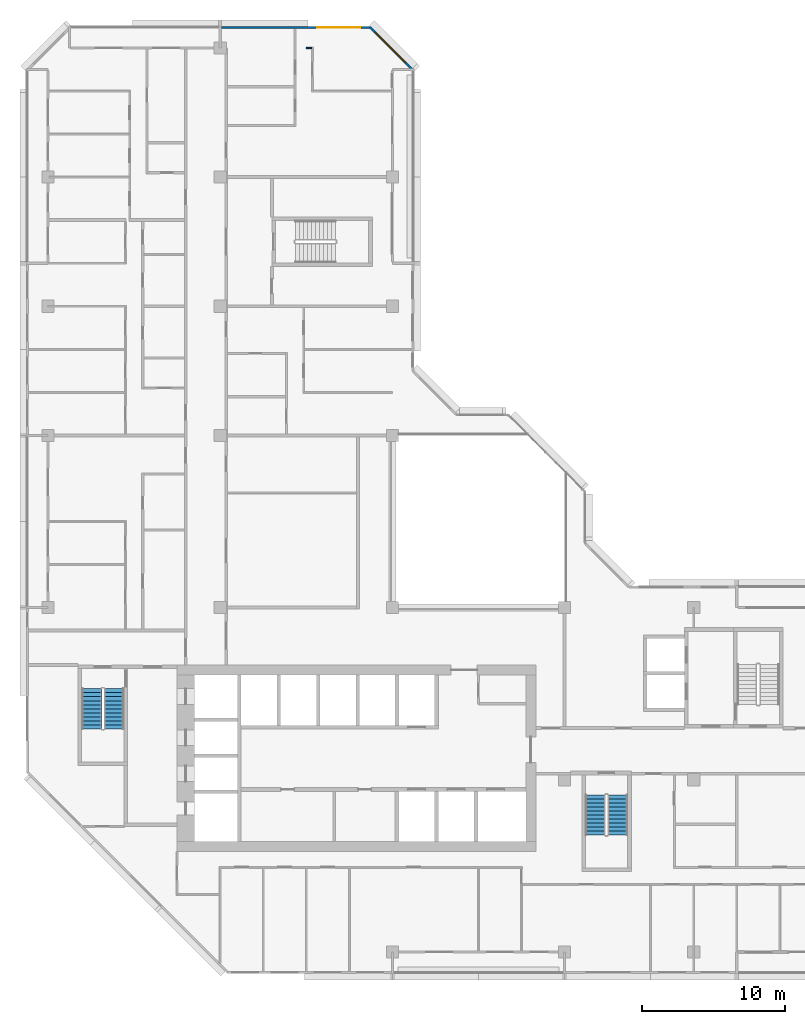
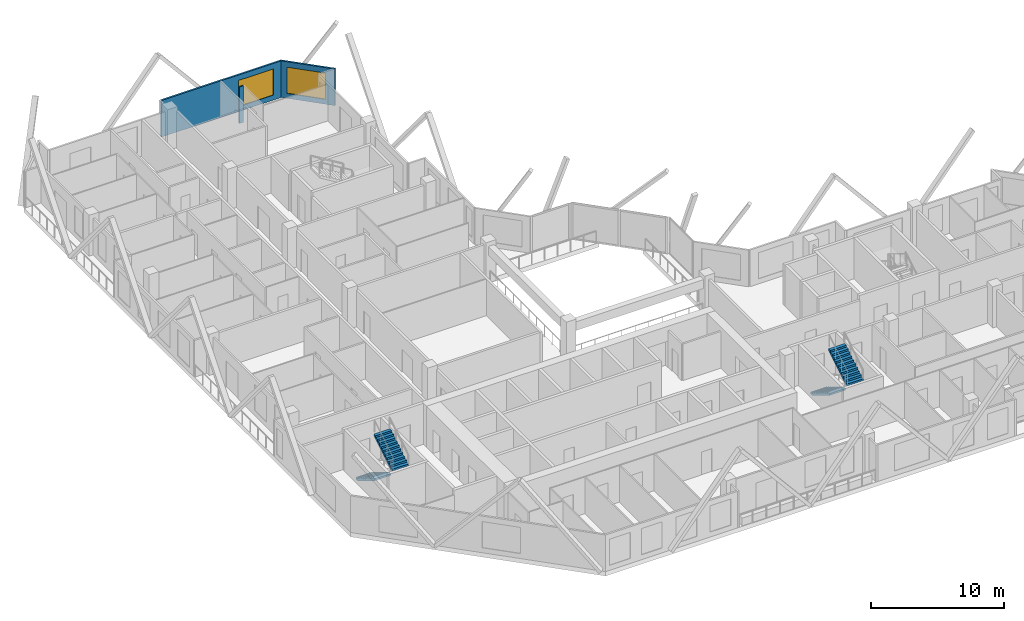
# One storey, part 13 of 16: 4 stair flights, 3 walls, 2 windows, 2 openings, 2 elements without a shape of their own.
"""IFC4 building model written with IfcOpenShell, lengths in metres."""

from ifc_helpers import new_model, si_unit, direction, frame, frame_2d, origin, place, context, subcontext, project, spatial, polyline, rectangle, outline, extrude, material, layer, layer_set, type_object, element, fill, aggregate, save


model = new_model("IFC4")

# Units and contexts
model_context = context("Model", 3, precision=1e-05, world=origin(), true_north=direction((0.0, 1.0)))
body_context = subcontext(model_context, "Body", "Model", "MODEL_VIEW")
ifc_project = project(units=[si_unit("LENGTHUNIT", "METRE"), si_unit("AREAUNIT", "SQUARE_METRE"), si_unit("VOLUMEUNIT", "CUBIC_METRE"), si_unit("PLANEANGLEUNIT", "RADIAN"), si_unit("MASSUNIT", "GRAM", prefix="KILO")], contexts=[model_context])

# Site, building, storey
site_placement = place(None, origin())
site = spatial("IfcSite", under=ifc_project, at=site_placement, CompositionType="ELEMENT")
building_placement = place(site_placement, origin())
building = spatial("IfcBuilding", under=site, at=building_placement, Name="Chenar Terraces", CompositionType="ELEMENT")
storey_placement = place(building_placement, frame((0.0, 0.0, 219.14990234375)))
storey = spatial("IfcBuildingStorey", under=building, at=storey_placement, Name="L51", CompositionType="ELEMENT", Elevation=219.14990234375)

# Wall, opening, window
ifc_material_1 = material(Name="Aluminium framed glazing", Category="aluminium")
ifc_layer_1 = layer(ifc_material_1, 0.14990234375)
ifc_layer_set_1 = layer_set([ifc_layer_1], Name="Aluminium framed glazing")
wall_type_1 = type_object("IfcWallType", Name="Glazed flush facade wall 150", PredefinedType="SOLIDWALL", material=ifc_layer_set_1)
wall_1_placement = place(storey_placement, frame((22.5, 64.425048828125, 0.0), z_axis=(0.0, 0.0, 1.0), x_axis=(-1.0, 0.0, 0.0)))
wall_1 = element("IfcWall", 1, at=wall_1_placement, inside=storey, type_object=wall_type_1, Name="Glazed flush facade wall", PredefinedType="SOLIDWALL", context=body_context, shape_type="SweptSolid", body=[
    extrude(rectangle(XDim=10.425048828125, YDim=0.14990234375, at=frame_2d((5.21240234375, 0.0))), origin(), (0.0, 0.0, 1.0), 3.35009765625),
])
opening_1_placement = place(wall_1_placement, frame((0.75, 0.0, 0.449951171875)))
opening_1 = element("IfcOpeningElement", 2, at=opening_1_placement, cuts=wall_1, Name="Opening W300x240", PredefinedType="OPENING", context=body_context, shape_type="SweptSolid", body=[
    extrude(rectangle(XDim=3.0, YDim=2.39990234375, at=frame_2d((1.5, 1.199951171875))), frame((0.0, 0.0849609375, 0.0), z_axis=(0.0, -1.0, 0.0), x_axis=(1.0, 0.0, 0.0)), (0.0, 0.0, 1.0), 0.169921875),
])
ifc_material_2 = material(Name="Low emissivity double glazing, aluminium frame", Category="aluminium")
window_type = type_object("IfcWindowType", Name="Fixed light 3000 x 2400", PartitioningType="SINGLE_PANEL", PredefinedType="WINDOW", material=ifc_material_2)
window_1_placement = place(opening_1_placement, origin())
window_1 = element("IfcWindow", 3, at=window_1_placement, inside=storey, type_object=window_type, Name="Window", OverallHeight=2.39990234375, OverallWidth=3.0, PartitioningType="SINGLE_PANEL", PredefinedType="WINDOW", context=body_context, shape_type="SweptSolid", body=[
    extrude(rectangle(XDim=3.0, YDim=2.39990234375, at=frame_2d((1.5, 1.199951171875))), frame((0.0, 0.030029296875, 0.0), z_axis=(0.0, -1.0, 0.0), x_axis=(1.0, 0.0, 0.0)), (0.0, 0.0, 1.0), 0.06005859375),
])
fill(opening_1, window_1)

# Wall
ifc_material_3 = material(Name="Gypsum board on steel studs", Category="steel")
ifc_layer_2 = layer(ifc_material_3, 0.10009765625)
ifc_layer_set_2 = layer_set([ifc_layer_2], Name="Gypsum board on steel studs")
wall_type_2 = type_object("IfcWallType", Name="Gypsum partition 100", PredefinedType="PARTITIONING", material=ifc_layer_set_2)
wall_2_placement = place(storey_placement, frame((18.0, 63.0, 0.0), z_axis=(0.0, 0.0, 1.0), x_axis=(1.0, 0.0, 0.0)))
element("IfcWall", 4, at=wall_2_placement, inside=storey, type_object=wall_type_2, Name="Partition L51-055", PredefinedType="PARTITIONING", context=body_context, shape_type="SweptSolid", body=[
    extrude(rectangle(XDim=0.375, YDim=0.10009765625, at=frame_2d((0.1875, 0.0))), origin(), (0.0, 0.0, 1.0), 3.35009765625),
])

# Wall, opening, window
ifc_material_4 = material(Name="Terracotta cladding on insulated backing", Category="masonry")
ifc_layer_3 = layer(ifc_material_4, 0.14990234375)
ifc_layer_set_3 = layer_set([ifc_layer_3], Name="Terracotta cladding on insulated backing")
wall_type_3 = type_object("IfcWallType", Name="Terracotta rainscreen wall 150", PredefinedType="SOLIDWALL", material=ifc_layer_set_3)
wall_3_placement = place(storey_placement, frame((25.447021484375, 61.447021484375, 0.0), z_axis=(0.0, 0.0, 1.0), x_axis=(-0.707106781187, 0.707106781187, 0.0)))
wall_3 = element("IfcWall", 5, at=wall_3_placement, inside=storey, type_object=wall_type_3, Name="Terracotta rainscreen wall", PredefinedType="SOLIDWALL", context=body_context, shape_type="SweptSolid", body=[
    extrude(rectangle(XDim=4.24267578125, YDim=0.14990234375, at=frame_2d((2.121337890625, 0.0))), origin(), (0.0, 0.0, 1.0), 3.35009765625),
])
opening_2_placement = place(wall_3_placement, frame((0.744384765625, 0.0, 0.449951171875)))
opening_2 = element("IfcOpeningElement", 6, at=opening_2_placement, cuts=wall_3, Name="Opening W300x240", PredefinedType="OPENING", context=body_context, shape_type="SweptSolid", body=[
    extrude(rectangle(XDim=3.0, YDim=2.39990234375, at=frame_2d((1.5, 1.199951171875))), frame((0.0, 0.0849609375, 0.0), z_axis=(0.0, -1.0, 0.0), x_axis=(1.0, 0.0, 0.0)), (0.0, 0.0, 1.0), 0.169921875),
])
window_2_placement = place(opening_2_placement, origin())
window_2 = element("IfcWindow", 7, at=window_2_placement, inside=storey, type_object=window_type, Name="Window", OverallHeight=2.39990234375, OverallWidth=3.0, PartitioningType="SINGLE_PANEL", PredefinedType="WINDOW", context=body_context, shape_type="SweptSolid", body=[
    extrude(rectangle(XDim=3.0, YDim=2.39990234375, at=frame_2d((1.5, 1.199951171875))), frame((0.0, 0.030029296875, 0.0), z_axis=(0.0, -1.0, 0.0), x_axis=(1.0, 0.0, 0.0)), (0.0, 0.0, 1.0), 0.06005859375),
])
fill(opening_2, window_2)

# Stair, stair flights
ifc_material_5 = material(Name="Reinforced concrete C40/50", Category="concrete")
stair_type = type_object("IfcStairType", Name="Core stair 1400 half-turn", PredefinedType="HALF_TURN_STAIR", material=ifc_material_5)
placement = place(storey_placement, origin())
stair_1 = element("IfcStair", 8, at=placement, inside=storey, type_object=stair_type, Name="L51 Stair 1", PredefinedType="HALF_TURN_STAIR")
ifc_material_6 = material(Name="Reinforced concrete C40/50", Category="concrete")
stair_flight_type = type_object("IfcStairFlightType", Name="Core stair flight 1400", PredefinedType="STRAIGHT", material=ifc_material_6)
stair_flight_1_placement = place(storey_placement, frame((3.050048828125, 18.35009765625, 0.0), z_axis=(0.0, 0.0, 1.0), x_axis=(0.0, -1.0, 0.0)))
stair_flight_1 = element("IfcStairFlight", 9, at=stair_flight_1_placement, type_object=stair_flight_type, Name="ST1 flight 1", NumberOfRisers=11, NumberOfTreads=10, PredefinedType="STRAIGHT", RiserHeight=0.170454545, TreadLength=0.28, context=body_context, shape_type="SweptSolid", body=[
    extrude(outline(polyline([(-0.0029296875, 0.0), (-0.0029296875, 0.17041015625), (0.0, 0.17041015625), (0.280029296875, 0.17041015625), (0.280029296875, 0.3408203125), (0.56005859375, 0.3408203125), (0.56005859375, 0.511474609375), (0.840087890625, 0.511474609375), (0.840087890625, 0.681884765625), (1.1201171875, 0.681884765625), (1.1201171875, 0.852294921875), (1.39990234375, 0.852294921875), (1.39990234375, 1.022705078125), (1.679931640625, 1.022705078125), (1.679931640625, 1.193115234375), (1.9599609375, 1.193115234375), (1.9599609375, 1.363525390625), (2.239990234375, 1.363525390625), (2.239990234375, 1.5341796875), (2.52001953125, 1.5341796875), (2.52001953125, 1.70458984375), (2.800048828125, 1.70458984375), (2.802978515625, 1.70458984375), (2.802978515625, 1.529052734375), (2.800048828125, 1.529052734375), (0.288330078125, 0.0), (-0.0029296875, 0.0)])), frame((0.0, 0.699951171875, 0.0), z_axis=(0.0, -1.0, 0.0), x_axis=(1.0, 0.0, 0.0)), (0.0, 0.0, 1.0), 1.39990234375),
])
stair_flight_2_placement = place(storey_placement, frame((4.60009765625, 15.550048828125, 1.875), z_axis=(0.0, 0.0, 1.0), x_axis=(0.0, 1.0, 0.0)))
stair_flight_2 = element("IfcStairFlight", 10, at=stair_flight_2_placement, type_object=stair_flight_type, Name="ST1 flight 2", NumberOfRisers=11, NumberOfTreads=10, PredefinedType="STRAIGHT", RiserHeight=0.170454545, TreadLength=0.28, context=body_context, shape_type="SweptSolid", body=[
    extrude(outline(polyline([(-0.0029296875, 0.0), (-0.0029296875, 0.17041015625), (0.0, 0.17041015625), (0.280029296875, 0.17041015625), (0.280029296875, 0.3408203125), (0.56005859375, 0.3408203125), (0.56005859375, 0.511474609375), (0.840087890625, 0.511474609375), (0.840087890625, 0.681884765625), (1.1201171875, 0.681884765625), (1.1201171875, 0.852294921875), (1.39990234375, 0.852294921875), (1.39990234375, 1.022705078125), (1.679931640625, 1.022705078125), (1.679931640625, 1.193115234375), (1.9599609375, 1.193115234375), (1.9599609375, 1.363525390625), (2.239990234375, 1.363525390625), (2.239990234375, 1.5341796875), (2.52001953125, 1.5341796875), (2.52001953125, 1.70458984375), (2.800048828125, 1.70458984375), (2.802978515625, 1.70458984375), (2.802978515625, 1.529052734375), (2.800048828125, 1.529052734375), (0.288330078125, 0.0), (-0.0029296875, 0.0)])), frame((0.0, 0.699951171875, 0.0), z_axis=(0.0, -1.0, 0.0), x_axis=(1.0, 0.0, 0.0)), (0.0, 0.0, 1.0), 1.39990234375),
])
aggregate(stair_1, [stair_flight_1, stair_flight_2])

stair_2 = element("IfcStair", 11, at=placement, inside=storey, type_object=stair_type, Name="L51 Stair 2", PredefinedType="HALF_TURN_STAIR")
stair_flight_3_placement = place(storey_placement, frame((38.14990234375, 10.949951171875, 0.0), z_axis=(0.0, 0.0, 1.0), x_axis=(0.0, -1.0, 0.0)))
stair_flight_3 = element("IfcStairFlight", 12, at=stair_flight_3_placement, type_object=stair_flight_type, Name="ST2 flight 1", NumberOfRisers=11, NumberOfTreads=10, PredefinedType="STRAIGHT", RiserHeight=0.170454545, TreadLength=0.28, context=body_context, shape_type="SweptSolid", body=[
    extrude(outline(polyline([(-0.0029296875, 0.0), (-0.0029296875, 0.17041015625), (0.0, 0.17041015625), (0.280029296875, 0.17041015625), (0.280029296875, 0.3408203125), (0.56005859375, 0.3408203125), (0.56005859375, 0.511474609375), (0.840087890625, 0.511474609375), (0.840087890625, 0.681884765625), (1.1201171875, 0.681884765625), (1.1201171875, 0.852294921875), (1.39990234375, 0.852294921875), (1.39990234375, 1.022705078125), (1.679931640625, 1.022705078125), (1.679931640625, 1.193115234375), (1.9599609375, 1.193115234375), (1.9599609375, 1.363525390625), (2.239990234375, 1.363525390625), (2.239990234375, 1.5341796875), (2.52001953125, 1.5341796875), (2.52001953125, 1.70458984375), (2.800048828125, 1.70458984375), (2.802978515625, 1.70458984375), (2.802978515625, 1.529052734375), (2.800048828125, 1.529052734375), (0.288330078125, 0.0), (-0.0029296875, 0.0)])), frame((0.0, 0.699951171875, 0.0), z_axis=(0.0, -1.0, 0.0), x_axis=(1.0, 0.0, 0.0)), (0.0, 0.0, 1.0), 1.39990234375),
])
stair_flight_4_placement = place(storey_placement, frame((39.699951171875, 8.14990234375, 1.875), z_axis=(0.0, 0.0, 1.0), x_axis=(0.0, 1.0, 0.0)))
stair_flight_4 = element("IfcStairFlight", 13, at=stair_flight_4_placement, type_object=stair_flight_type, Name="ST2 flight 2", NumberOfRisers=11, NumberOfTreads=10, PredefinedType="STRAIGHT", RiserHeight=0.170454545, TreadLength=0.28, context=body_context, shape_type="SweptSolid", body=[
    extrude(outline(polyline([(-0.0029296875, 0.0), (-0.0029296875, 0.17041015625), (0.0, 0.17041015625), (0.280029296875, 0.17041015625), (0.280029296875, 0.3408203125), (0.56005859375, 0.3408203125), (0.56005859375, 0.511474609375), (0.840087890625, 0.511474609375), (0.840087890625, 0.681884765625), (1.1201171875, 0.681884765625), (1.1201171875, 0.852294921875), (1.39990234375, 0.852294921875), (1.39990234375, 1.022705078125), (1.679931640625, 1.022705078125), (1.679931640625, 1.193115234375), (1.9599609375, 1.193115234375), (1.9599609375, 1.363525390625), (2.239990234375, 1.363525390625), (2.239990234375, 1.5341796875), (2.52001953125, 1.5341796875), (2.52001953125, 1.70458984375), (2.800048828125, 1.70458984375), (2.802978515625, 1.70458984375), (2.802978515625, 1.529052734375), (2.800048828125, 1.529052734375), (0.288330078125, 0.0), (-0.0029296875, 0.0)])), frame((0.0, 0.699951171875, 0.0), z_axis=(0.0, -1.0, 0.0), x_axis=(1.0, 0.0, 0.0)), (0.0, 0.0, 1.0), 1.39990234375),
])
aggregate(stair_2, [stair_flight_3, stair_flight_4])

save(model, "model.ifc")
